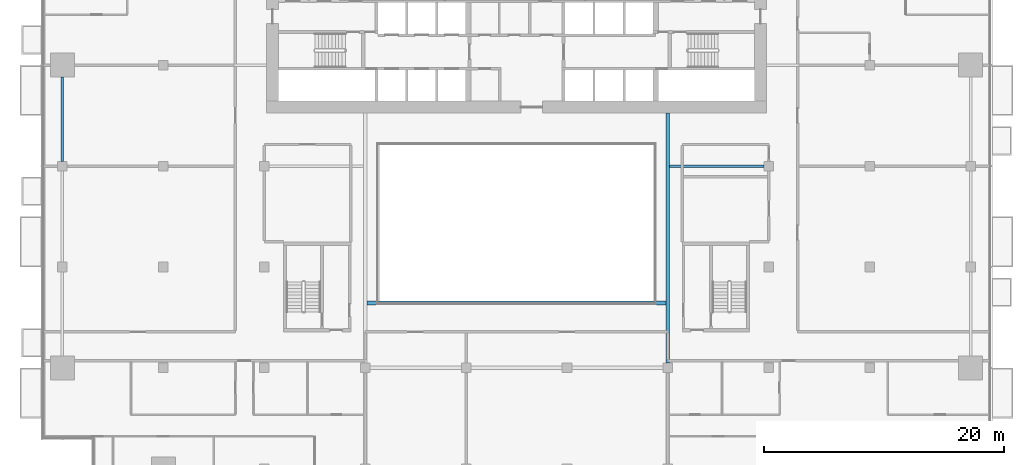
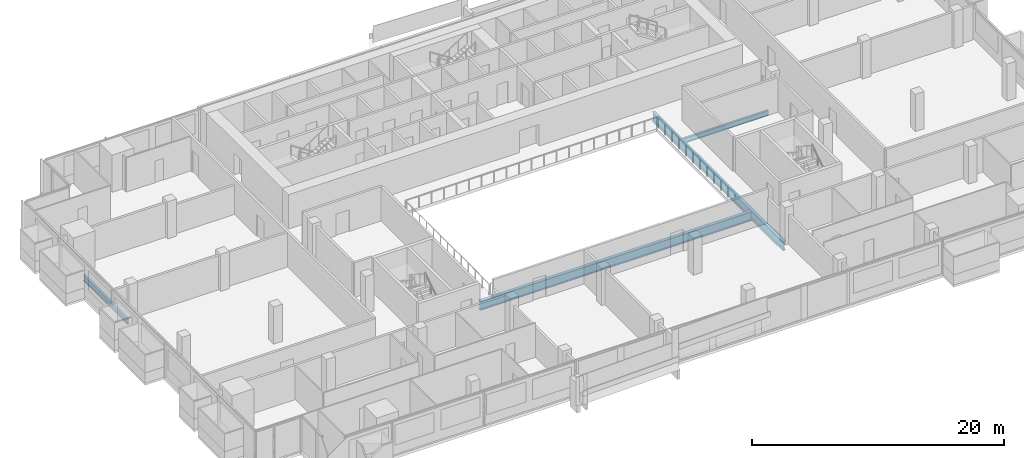
# One storey, part 7 of 26: 4 beams.
"""IFC4 building model written with IfcOpenShell, lengths in metres."""

import ifcopenshell
import ifcopenshell.guid

model = None  # the IFC model being written
_history = None  # IfcOwnerHistory: only IFC2X3 demands one
_inside = {}  # id of a spatial element -> (the spatial element, [elements in it])
_under = {}  # id of a project, library or spatial element -> (it, [spatial elements below it])
_declared = {}  # id of a project -> (the project, [libraries it declares])
_typed = {}  # id of a type object -> (the type object, [elements of that type])
_made_of = {}  # id of a material, layer set ... -> (it, [elements and type objects made of it])


def new_model(schema):
    """Start an empty IFC model of exactly this schema.

    Asked for "IFC4X3", IfcOpenShell would pick the latest addendum, in which some entities
    have other attributes; the version numbers below select the first issue.
    IFC2X3 requires an IfcOwnerHistory on every rooted entity: one is made here for all.
    """
    global model, _history
    if schema == "IFC4X3":
        model = ifcopenshell.file(schema_version=(4, 3, 0, 0))
    else:
        model = ifcopenshell.file(schema=schema)
    _inside.clear()
    _under.clear()
    _declared.clear()
    _typed.clear()
    _made_of.clear()
    _history = None
    if model.schema == "IFC2X3":
        org = make("IfcOrganization", Name="unknown")
        user = make(
            "IfcPersonAndOrganization",
            ThePerson=make("IfcPerson", FamilyName="unknown"),
            TheOrganization=org,
        )
        app = make(
            "IfcApplication",
            ApplicationDeveloper=org,
            Version="unknown",
            ApplicationFullName="unknown",
            ApplicationIdentifier="unknown",
        )
        _history = make(
            "IfcOwnerHistory",
            OwningUser=user,
            OwningApplication=app,
            ChangeAction="ADDED",
            CreationDate=0,
        )
    return model


def make(cls, **values):
    """One entity of the class cls with the attributes given. An attribute that is None is left unset."""
    return model.create_entity(
        cls, **{name: value for name, value in values.items() if value is not None}
    )


def rooted(cls, **values):
    """An entity with a GlobalId (a new one), such as an element, a storey or a relation."""
    return make(cls, GlobalId=ifcopenshell.guid.new(), OwnerHistory=_history, **values)


def si_unit(unit_type, name, prefix=None):
    """IfcSIUnit, for example si_unit("LENGTHUNIT", "METRE", prefix="MILLI")."""
    return make("IfcSIUnit", UnitType=unit_type, Prefix=prefix, Name=name)


def assignment(units):
    """IfcUnitAssignment: the units of a project."""
    return None if units is None else make("IfcUnitAssignment", Units=units)


def point(xyz):
    """IfcCartesianPoint."""
    return None if xyz is None else make("IfcCartesianPoint", Coordinates=xyz)


def direction(xyz):
    """IfcDirection."""
    return None if xyz is None else make("IfcDirection", DirectionRatios=xyz)


def frame(location, z_axis=None, x_axis=None):
    """IfcAxis2Placement3D, a coordinate frame: its origin and axes. An axis left out is left unset."""
    return make(
        "IfcAxis2Placement3D",
        Location=point(location),
        Axis=direction(z_axis),
        RefDirection=direction(x_axis),
    )


def frame_2d(location, x_axis=None):
    """IfcAxis2Placement2D, a coordinate frame in the plane: its origin and x axis."""
    return make(
        "IfcAxis2Placement2D", Location=point(location), RefDirection=direction(x_axis)
    )


def origin():
    """The frame at (0, 0, 0) with its axes left unset."""
    return frame((0.0, 0.0, 0.0))


def origin_2d():
    """The frame at (0, 0) in the plane with its x axis left unset."""
    return frame_2d((0.0, 0.0))


def place(relative_to, where):
    """IfcLocalPlacement: puts the frame where relative to a parent placement (None: the world)."""
    return make(
        "IfcLocalPlacement", PlacementRelTo=relative_to, RelativePlacement=where
    )


def context(
    kind, dimensions, precision=None, world=None, true_north=None, identifier=None
):
    """IfcGeometricRepresentationContext, for example the 3D "Model" context."""
    return make(
        "IfcGeometricRepresentationContext",
        ContextIdentifier=identifier,
        ContextType=kind,
        CoordinateSpaceDimension=dimensions,
        Precision=precision,
        WorldCoordinateSystem=world,
        TrueNorth=true_north,
    )


def subcontext(parent, identifier, kind, view, scale=None):
    """IfcGeometricRepresentationSubContext, for example "Body" below "Model"."""
    return make(
        "IfcGeometricRepresentationSubContext",
        ContextIdentifier=identifier,
        ContextType=kind,
        ParentContext=parent,
        TargetScale=scale,
        TargetView=view,
    )


def project(units=None, contexts=None):
    """IfcProject with its units and contexts."""
    return rooted(
        "IfcProject",
        Name="project",
        RepresentationContexts=contexts,
        UnitsInContext=assignment(units),
    )


def spatial(cls, under=None, at=None, **own):
    """A site, building, storey or space (cls), placed at a placement, below another one or the project."""
    s = rooted(cls, ObjectPlacement=at, **own)
    if under is not None:
        _under.setdefault(under.id(), (under, []))[1].append(s)
    return s


def profile(cls, at=None, kind="AREA", **sizes):
    """A parametric profile (cls). Its sizes go by their IFC names, for example OverallWidth=200.0."""
    return make(cls, ProfileType=kind, Position=at, **sizes)


def i_section(**sizes):
    """IfcIShapeProfileDef."""
    return profile("IfcIShapeProfileDef", **sizes)


def extrude(swept, where, along, depth):
    """IfcExtrudedAreaSolid: the profile swept, set in the frame where, extruded along a direction by depth."""
    return make(
        "IfcExtrudedAreaSolid",
        SweptArea=swept,
        Position=where,
        ExtrudedDirection=direction(along),
        Depth=depth,
    )


def shape(context_of_items, identifier, shape_type, items):
    """IfcShapeRepresentation: the items that make up one representation, for example the "Body"."""
    return make(
        "IfcShapeRepresentation",
        ContextOfItems=context_of_items,
        RepresentationIdentifier=identifier,
        RepresentationType=shape_type,
        Items=items,
    )


def material(Name=None, Category=None):
    """IfcMaterial."""
    return make("IfcMaterial", Name=Name, Category=Category)


def material_profile(
    of_material, cross_section, Name=None, Category=None, Priority=None
):
    """IfcMaterialProfile: a cross section and its material."""
    return make(
        "IfcMaterialProfile",
        Name=Name,
        Material=of_material,
        Profile=cross_section,
        Priority=Priority,
        Category=Category,
    )


def profile_set(profiles, Name=None, composite=None):
    """IfcMaterialProfileSet."""
    return make(
        "IfcMaterialProfileSet",
        Name=Name,
        MaterialProfiles=profiles,
        CompositeProfile=composite,
    )


def made_of(thing, what):
    """Note that an element or type object is made of a material, layer set ...; save() writes the relation."""
    if what is not None:
        _made_of.setdefault(what.id(), (what, []))[1].append(thing)
    return thing


def type_object(cls, material=None, **own):
    """A type object (cls), such as IfcWallType, which elements share."""
    return made_of(rooted(cls, **own), material)


def element(
    cls,
    number,
    at=None,
    inside=None,
    cuts=None,
    type_object=None,
    material=None,
    context=None,
    identifier="Body",
    shape_type=None,
    held_by="IfcProductDefinitionShape",
    body=None,
    shapes=None,
    **own,
):
    """One element of the class cls, such as IfcWall. Its Tag is "e" and its number.

    at: its placement. inside: the storey or other place that contains it. cuts: it is an
    opening in that element (IfcRelVoidsElement). A single representation is given by context,
    identifier, shape_type and body (its items); several are given by shapes. held_by: the class
    of the entity that holds the representations. save() writes the other relations.
    """
    e = rooted(cls, Tag="e%d" % number, ObjectPlacement=at, **own)
    if body is not None:
        shapes = [shape(context, identifier, shape_type, body)]
    if shapes is not None:
        e.Representation = make(held_by, Representations=shapes)
    if inside is not None:
        _inside.setdefault(inside.id(), (inside, []))[1].append(e)
    if cuts is not None:
        rooted(
            "IfcRelVoidsElement", RelatingBuildingElement=cuts, RelatedOpeningElement=e
        )
    if type_object is not None:
        _typed.setdefault(type_object.id(), (type_object, []))[1].append(e)
    return made_of(e, material)


def aggregate(whole, parts):
    """IfcRelAggregates: a whole, such as a stair, and the parts it consists of."""
    return rooted("IfcRelAggregates", RelatingObject=whole, RelatedObjects=parts)


def save(model, path):
    """Write the relations noted so far, then the file.

    IfcRelAggregates (storeys below a building ...), IfcRelContainedInSpatialStructure (elements
    in a storey), IfcRelDefinesByType, IfcRelAssociatesMaterial and IfcRelDeclares: one each for
    every whole, place, type object, material and project.
    """
    for whole, parts in _under.values():
        aggregate(whole, parts)
    for where, things in _inside.values():
        rooted(
            "IfcRelContainedInSpatialStructure",
            RelatedElements=things,
            RelatingStructure=where,
        )
    for kind, things in _typed.values():
        rooted("IfcRelDefinesByType", RelatedObjects=things, RelatingType=kind)
    for what, things in _made_of.values():
        rooted("IfcRelAssociatesMaterial", RelatedObjects=things, RelatingMaterial=what)
    for by, libraries in _declared.values():
        rooted("IfcRelDeclares", RelatingContext=by, RelatedDefinitions=libraries)
    model.write(path)


model = new_model("IFC4")

# Units and contexts
model_context = context("Model", 3, precision=1e-05, world=origin(), true_north=direction((0.0, 1.0)))
body_context = subcontext(model_context, "Body", "Model", "MODEL_VIEW")
ifc_project = project(units=[si_unit("LENGTHUNIT", "METRE"), si_unit("AREAUNIT", "SQUARE_METRE"), si_unit("VOLUMEUNIT", "CUBIC_METRE"), si_unit("PLANEANGLEUNIT", "RADIAN"), si_unit("MASSUNIT", "GRAM", prefix="KILO")], contexts=[model_context])

# Site, building, storey
site_placement = place(None, origin())
site = spatial("IfcSite", under=ifc_project, at=site_placement, CompositionType="ELEMENT")
building_placement = place(site_placement, origin())
building = spatial("IfcBuilding", under=site, at=building_placement, Name="Saffron Gate Tower", CompositionType="ELEMENT")
storey_placement = place(building_placement, frame((0.0, 0.0, 98.85009765625)))
storey = spatial("IfcBuildingStorey", under=building, at=storey_placement, Name="L22", CompositionType="ELEMENT", Elevation=98.85009765625)

# Beams
ifc_material = material(Name="Structural steel S355", Category="steel")
ifc_material_profile_1 = material_profile(ifc_material, i_section(OverallWidth=0.199951171875, OverallDepth=0.5, WebThickness=0.01025390625, FlangeThickness=0.01611328125, FilletRadius=0.02099609375, at=origin_2d()))
ifc_profile_set_1 = profile_set([ifc_material_profile_1], Name="Structural steel S355")
beam_type_1 = type_object("IfcBeamType", Name="B10 IPE 500", PredefinedType="BEAM", material=ifc_profile_set_1)
beam_1_placement = place(storey_placement, frame((108.199951171875, 57.0, -0.530029296875), z_axis=(-1.0, 0.0, 0.0), x_axis=(0.0, -1.0, 0.0)))
element("IfcBeam", 1, at=beam_1_placement, inside=storey, type_object=beam_type_1, Name="B10 CORE TIE BEAM", PredefinedType="BEAM", context=body_context, shape_type="SweptSolid", body=[
    extrude(i_section(OverallWidth=0.199951171875, OverallDepth=0.5, WebThickness=0.01025390625, FlangeThickness=0.01611328125, FilletRadius=0.02099609375, at=origin_2d()), origin(), (0.0, 0.0, 1.0), 7.849853515625),
])
ifc_material_profile_2 = material_profile(ifc_material, i_section(OverallWidth=0.2099609375, OverallDepth=0.550048828125, WebThickness=0.010986328125, FlangeThickness=0.01708984375, FilletRadius=0.02392578125, at=origin_2d()))
ifc_profile_set_2 = profile_set([ifc_material_profile_2], Name="Structural steel S355")
beam_type_2 = type_object("IfcBeamType", Name="B13 IPE 550", PredefinedType="SPANDREL", material=ifc_profile_set_2)
beam_2_placement = place(storey_placement, frame((49.800048828125, 57.39990234375, -0.55517578125), z_axis=(0.0, 1.0, 0.0), x_axis=(-1.0, 0.0, 0.0)))
element("IfcBeam", 2, at=beam_2_placement, inside=storey, type_object=beam_type_2, Name="B13 SPANDREL BEAM", PredefinedType="SPANDREL", context=body_context, shape_type="SweptSolid", body=[
    extrude(i_section(OverallWidth=0.2099609375, OverallDepth=0.550048828125, WebThickness=0.010986328125, FlangeThickness=0.01708984375, FilletRadius=0.02392578125, at=origin_2d()), origin(), (0.0, 0.0, 1.0), 7.0),
])
ifc_material_profile_3 = material_profile(ifc_material, i_section(OverallWidth=0.300048828125, OverallDepth=0.889892578125, WebThickness=0.01611328125, FlangeThickness=0.030029296875, FilletRadius=0.030029296875, at=origin_2d()))
ifc_profile_set_3 = profile_set([ifc_material_profile_3], Name="Structural steel S355")
beam_type_3 = type_object("IfcBeamType", Name="B19 HEA 900", PredefinedType="BEAM", material=ifc_profile_set_3)
beam_3_placement = place(storey_placement, frame((100.199951171875, 40.60009765625, -0.72509765625), z_axis=(0.0, 1.0, 0.0), x_axis=(-1.0, 0.0, 0.0)))
element("IfcBeam", 3, at=beam_3_placement, inside=storey, type_object=beam_type_3, Name="B19 ATRIUM GIRDER", PredefinedType="BEAM", context=body_context, shape_type="SweptSolid", body=[
    extrude(i_section(OverallWidth=0.300048828125, OverallDepth=0.889892578125, WebThickness=0.01611328125, FlangeThickness=0.030029296875, FilletRadius=0.030029296875, at=origin_2d()), origin(), (0.0, 0.0, 1.0), 20.7998046875),
])
beam_4_placement = place(storey_placement, frame((75.14990234375, 45.60009765625, -0.72509765625), z_axis=(1.0, 0.0, 0.0), x_axis=(0.0, 1.0, 0.0)))
element("IfcBeam", 4, at=beam_4_placement, inside=storey, type_object=beam_type_3, Name="B19 ATRIUM GIRDER", PredefinedType="BEAM", context=body_context, shape_type="SweptSolid", body=[
    extrude(i_section(OverallWidth=0.300048828125, OverallDepth=0.889892578125, WebThickness=0.01611328125, FlangeThickness=0.030029296875, FilletRadius=0.030029296875, at=origin_2d()), origin(), (0.0, 0.0, 1.0), 24.900146484375),
])

save(model, "model.ifc")
